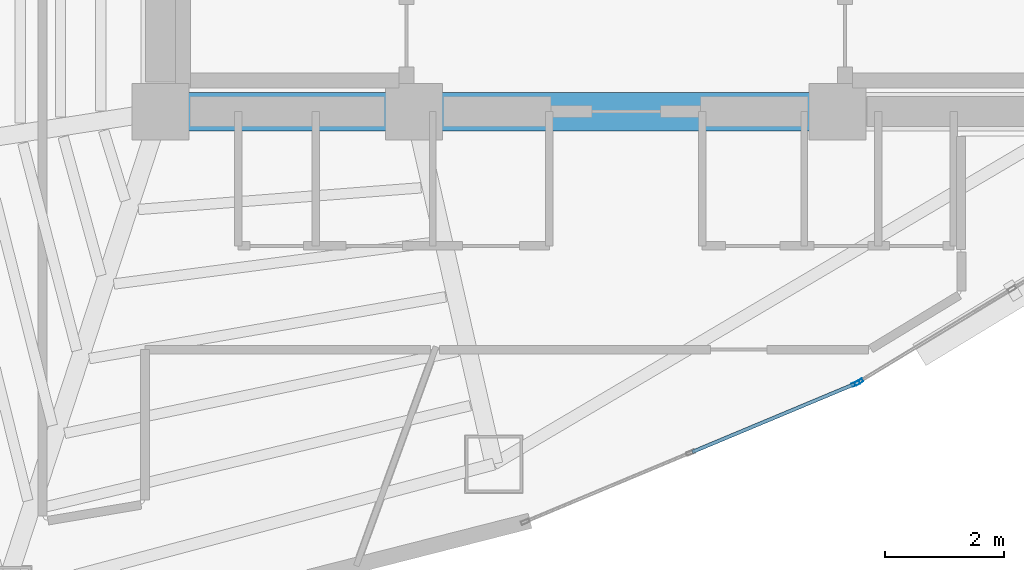
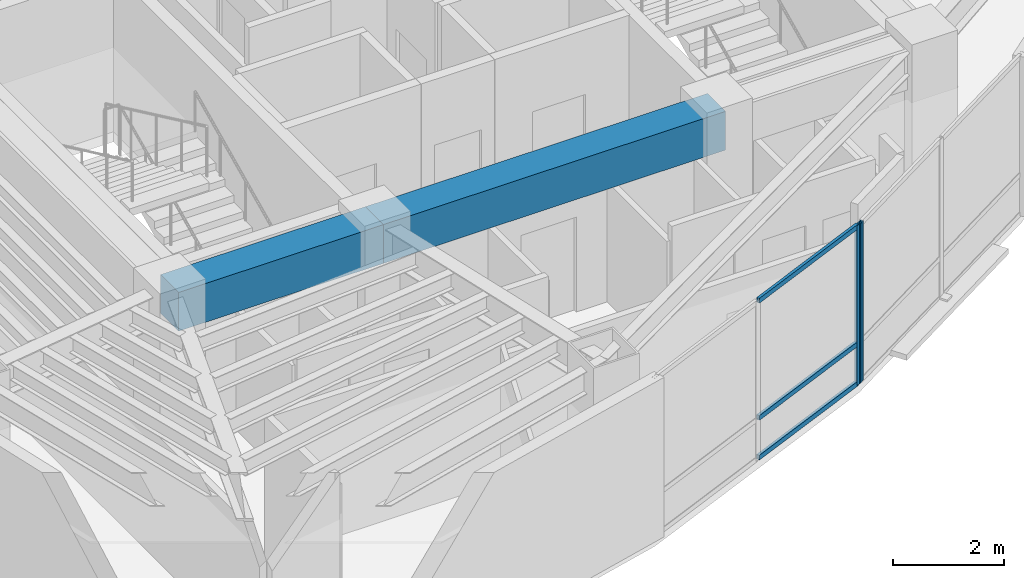
# One storey, part 4 of 15: 5 members, 2 beams, 2 elements without a shape of their own.
"""IFC4 building model written with IfcOpenShell, lengths in metres."""

from ifc_helpers import new_model, si_unit, direction, frame, origin, origin_2d, place, context, subcontext, project, spatial, rectangle, hollow_rectangle, extrude, material, layer, layer_set, material_profile, profile_set, type_object, element, aggregate, save


model = new_model("IFC4")

# Units and contexts
model_context = context("Model", 3, precision=1e-05, world=origin(), true_north=direction((0.0, 1.0)))
body_context = subcontext(model_context, "Body", "Model", "MODEL_VIEW")
ifc_project = project(units=[si_unit("LENGTHUNIT", "METRE"), si_unit("AREAUNIT", "SQUARE_METRE"), si_unit("VOLUMEUNIT", "CUBIC_METRE"), si_unit("PLANEANGLEUNIT", "RADIAN"), si_unit("MASSUNIT", "GRAM", prefix="KILO")], contexts=[model_context])

# Site, building, storey
site_placement = place(None, origin())
site = spatial("IfcSite", under=ifc_project, at=site_placement, CompositionType="ELEMENT")
building_placement = place(site_placement, origin())
building = spatial("IfcBuilding", under=site, at=building_placement, Name="Menara Vayukalpa", CompositionType="ELEMENT")
storey_placement = place(building_placement, frame((0.0, 0.0, 226.97998046875)))
storey = spatial("IfcBuildingStorey", under=building, at=storey_placement, Name="L57", CompositionType="ELEMENT", Elevation=226.97998046875)

# Beams
ifc_material_1 = material(Name="Concrete C60/75", Category="concrete")
ifc_material_profile_1 = material_profile(ifc_material_1, rectangle(XDim=0.64990234375, YDim=0.85009765625, at=origin_2d()), Name="RC 650x850")
ifc_profile_set_1 = profile_set([ifc_material_profile_1], Name="Concrete C60/75")
beam_type = type_object("IfcBeamType", Name="BM-CB1", PredefinedType="BEAM", material=ifc_profile_set_1)
beam_1_placement = place(storey_placement, frame((17.800048828125, 17.199951171875, 3.074951171875), z_axis=(1.0, 0.0, 0.0), x_axis=(0.0, 1.0, 0.0)))
element("IfcBeam", 1, at=beam_1_placement, inside=storey, type_object=beam_type, Name="L57 Core Tie Beam CBR1", PredefinedType="BEAM", context=body_context, shape_type="SweptSolid", body=[
    extrude(rectangle(XDim=0.64990234375, YDim=0.85009765625, at=origin_2d()), origin(), (0.0, 0.0, 1.0), 4.25),
])
beam_2_placement = place(storey_placement, frame((22.050048828125, 17.199951171875, 3.074951171875), z_axis=(1.0, 0.0, 0.0), x_axis=(0.0, 1.0, 0.0)))
element("IfcBeam", 2, at=beam_2_placement, inside=storey, type_object=beam_type, Name="L57 Core Tie Beam CBR2", PredefinedType="BEAM", context=body_context, shape_type="SweptSolid", body=[
    extrude(rectangle(XDim=0.64990234375, YDim=0.85009765625, at=origin_2d()), origin(), (0.0, 0.0, 1.0), 7.099853515625),
])

# Curtain wall, member
ifc_material_2 = material(Name="Anodised Terracotta Aluminium Alloy 6063-T6", Category="masonry")
ifc_layer = layer(ifc_material_2, 0.139892578125)
ifc_layer_set = layer_set([ifc_layer], Name="Anodised Terracotta Aluminium Alloy 6063-T6")
curtain_wall_type = type_object("IfcCurtainWallType", Name="CW-CW5", PredefinedType="USERDEFINED", material=ifc_layer_set)
curtain_wall_1_placement = place(storey_placement, origin())
curtain_wall_1 = element("IfcCurtainWall", 3, at=curtain_wall_1_placement, inside=storey, type_object=curtain_wall_type, Name="L57 High Rise Tapered Curtain Wall CW5 16", ObjectType="UNITISED", PredefinedType="USERDEFINED")
ifc_material_3 = material(Name="Anodised Terracotta Aluminium Alloy 6063-T6", Category="masonry")
ifc_material_profile_2 = material_profile(ifc_material_3, hollow_rectangle(XDim=0.06005859375, YDim=0.139892578125, WallThickness=0.00341796875, at=origin_2d()), Name="ALU 60x140x3.5")
ifc_profile_set_2 = profile_set([ifc_material_profile_2], Name="Anodised Terracotta Aluminium Alloy 6063-T6")
member_type_1 = type_object("IfcMemberType", Name="CWM-CW5", PredefinedType="MULLION", material=ifc_profile_set_2)
member_1_placement = place(storey_placement, frame((29.4560546875, 12.640380859375, 0.0), z_axis=(0.0, 0.0, 1.0), x_axis=(-0.385902834406, 0.922539431351, 0.0)))
member_1 = element("IfcMember", 4, at=member_1_placement, type_object=member_type_1, Name="CW5 mullion 3", PredefinedType="MULLION", context=body_context, shape_type="SweptSolid", body=[
    extrude(hollow_rectangle(XDim=0.06005859375, YDim=0.139892578125, WallThickness=0.00341796875, at=origin_2d()), origin(), (0.0, 0.0, 1.0), 3.5),
])

curtain_wall_2_placement = place(storey_placement, origin())
curtain_wall_2 = element("IfcCurtainWall", 5, at=curtain_wall_2_placement, inside=storey, type_object=curtain_wall_type, Name="L57 High Rise Tapered Curtain Wall CW5 17", ObjectType="UNITISED", PredefinedType="USERDEFINED")
member_2_placement = place(storey_placement, frame((29.509521484375, 12.66748046875, 0.0), z_axis=(0.0, 0.0, 1.0), x_axis=(-0.519179911779, 0.854664974832, 0.0)))
member_2 = element("IfcMember", 6, at=member_2_placement, type_object=member_type_1, Name="CW5 mullion 1", PredefinedType="MULLION", context=body_context, shape_type="SweptSolid", body=[
    extrude(hollow_rectangle(XDim=0.06005859375, YDim=0.139892578125, WallThickness=0.00341796875, at=origin_2d()), origin(), (0.0, 0.0, 1.0), 3.5),
])
aggregate(curtain_wall_2, [member_2])

# Member
ifc_material_4 = material(Name="Anodised Terracotta Aluminium Alloy 6063-T6", Category="masonry")
ifc_material_profile_3 = material_profile(ifc_material_4, hollow_rectangle(XDim=0.06005859375, YDim=0.10498046875, WallThickness=0.0029296875, at=origin_2d()), Name="ALU 60x105x3")
ifc_profile_set_3 = profile_set([ifc_material_profile_3], Name="Anodised Terracotta Aluminium Alloy 6063-T6")
member_type_2 = type_object("IfcMemberType", Name="CWT-CW5", PredefinedType="USERDEFINED", material=ifc_profile_set_3)
member_3_placement = place(storey_placement, frame((26.7138671875, 11.4931640625, 0.030029296875), z_axis=(0.922543360613, 0.385893440976, 0.0), x_axis=(-0.385893440976, 0.922543360613, 0.0)))
member_3 = element("IfcMember", 7, at=member_3_placement, type_object=member_type_2, Name="CW5 transom 2.1", ObjectType="TRANSOM", PredefinedType="USERDEFINED", context=body_context, shape_type="SweptSolid", body=[
    extrude(hollow_rectangle(XDim=0.06005859375, YDim=0.10498046875, WallThickness=0.0029296875, at=origin_2d()), origin(), (0.0, 0.0, 1.0), 2.942626953125),
])

member_4_placement = place(storey_placement, frame((26.7138671875, 11.4931640625, 0.89990234375), z_axis=(0.922543360613, 0.385893440976, 0.0), x_axis=(-0.385893440976, 0.922543360613, 0.0)))
member_4 = element("IfcMember", 8, at=member_4_placement, type_object=member_type_2, Name="CW5 transom 2.2", ObjectType="TRANSOM", PredefinedType="USERDEFINED", context=body_context, shape_type="SweptSolid", body=[
    extrude(hollow_rectangle(XDim=0.06005859375, YDim=0.10498046875, WallThickness=0.0029296875, at=origin_2d()), origin(), (0.0, 0.0, 1.0), 2.942626953125),
])

member_5_placement = place(storey_placement, frame((26.7138671875, 11.4931640625, 3.469970703125), z_axis=(0.922543360613, 0.385893440976, 0.0), x_axis=(-0.385893440976, 0.922543360613, 0.0)))
member_5 = element("IfcMember", 9, at=member_5_placement, type_object=member_type_2, Name="CW5 transom 2.3", ObjectType="TRANSOM", PredefinedType="USERDEFINED", context=body_context, shape_type="SweptSolid", body=[
    extrude(hollow_rectangle(XDim=0.06005859375, YDim=0.10498046875, WallThickness=0.0029296875, at=origin_2d()), origin(), (0.0, 0.0, 1.0), 2.942626953125),
])

aggregate(curtain_wall_1, [member_1, member_3, member_4, member_5])

save(model, "model.ifc")
